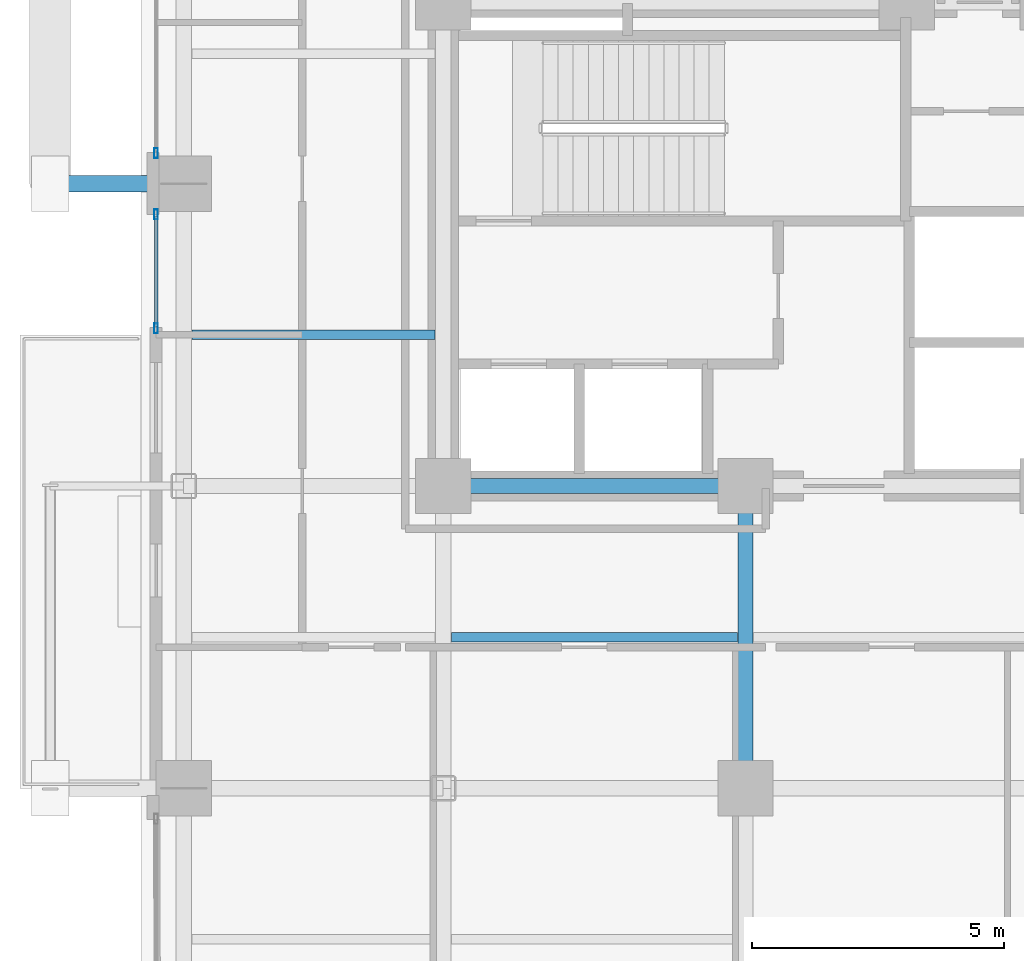
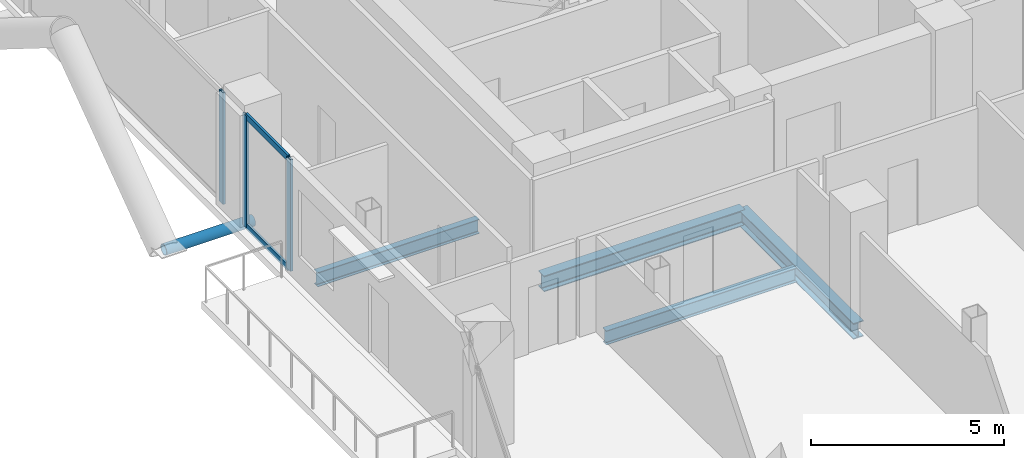
# One storey, part 6 of 26: 6 members, 4 beams, 2 elements without a shape of their own.
"""IFC4 building model written with IfcOpenShell, lengths in metres."""

from ifc_helpers import new_model, si_unit, direction, frame, origin, origin_2d, place, context, subcontext, project, spatial, hollow_rectangle, hollow_circle, i_section, extrude, material, layer, layer_set, material_profile, profile_set, type_object, element, aggregate, save


model = new_model("IFC4")

# Units and contexts
model_context = context("Model", 3, precision=1e-05, world=origin(), true_north=direction((0.0, 1.0)))
body_context = subcontext(model_context, "Body", "Model", "MODEL_VIEW")
ifc_project = project(units=[si_unit("LENGTHUNIT", "METRE"), si_unit("AREAUNIT", "SQUARE_METRE"), si_unit("VOLUMEUNIT", "CUBIC_METRE"), si_unit("PLANEANGLEUNIT", "RADIAN"), si_unit("MASSUNIT", "GRAM", prefix="KILO"), si_unit("THERMODYNAMICTEMPERATUREUNIT", "KELVIN"), si_unit("POWERUNIT", "WATT")], contexts=[model_context])

# Site, building, storey
site_placement = place(None, origin())
site = spatial("IfcSite", under=ifc_project, at=site_placement, CompositionType="ELEMENT")
building_placement = place(site_placement, origin())
building = spatial("IfcBuilding", under=site, at=building_placement, Name="Svarakhadi Broadcast Tower", CompositionType="ELEMENT")
storey_placement = place(building_placement, frame((0.0, 0.0, 99.60009765625)))
storey = spatial("IfcBuildingStorey", under=building, at=storey_placement, Name="L23", CompositionType="ELEMENT", Elevation=99.60009765625)

# Beams
ifc_material_1 = material(Name="Steel S355J2 (IS 2062 E350C)", Category="steel")
ifc_material_profile_1 = material_profile(ifc_material_1, i_section(OverallWidth=0.18994140625, OverallDepth=0.449951171875, WebThickness=0.009521484375, FlangeThickness=0.0146484375, FilletRadius=0.02099609375, at=origin_2d()), Name="NPB 450x190x78")
ifc_profile_set_1 = profile_set([ifc_material_profile_1], Name="Steel S355J2 (IS 2062 E350C)")
beam_type_1 = type_object("IfcBeamType", Name="Beam_NPB450", PredefinedType="BEAM", material=ifc_profile_set_1)
beam_1_placement = place(storey_placement, frame((1.010009765625, 21.0, -0.4501953125), z_axis=(1.0, 0.0, 0.0), x_axis=(0.0, 1.0, 0.0)))
element("IfcBeam", 1, at=beam_1_placement, inside=storey, type_object=beam_type_1, Name="L23 Secondary Composite Beam SB003", PredefinedType="BEAM", context=body_context, shape_type="SweptSolid", body=[
    extrude(i_section(OverallWidth=0.18994140625, OverallDepth=0.449951171875, WebThickness=0.009521484375, FlangeThickness=0.0146484375, FilletRadius=0.02099609375, at=origin_2d()), origin(), (0.0, 0.0, 1.0), 4.830078125),
])
beam_2_placement = place(storey_placement, frame((6.159912109375, 15.0, -0.4501953125), z_axis=(1.0, 0.0, 0.0), x_axis=(0.0, 1.0, 0.0)))
element("IfcBeam", 2, at=beam_2_placement, inside=storey, type_object=beam_type_1, Name="L23 Secondary Composite Beam SB009", PredefinedType="BEAM", context=body_context, shape_type="SweptSolid", body=[
    extrude(i_section(OverallWidth=0.18994140625, OverallDepth=0.449951171875, WebThickness=0.009521484375, FlangeThickness=0.0146484375, FilletRadius=0.02099609375, at=origin_2d()), origin(), (0.0, 0.0, 1.0), 5.68017578125),
])

# Curtain wall, members
ifc_material_2 = material(Name="Anodised Bronze Aluminium AA 6063-T6", Category="aluminium")
ifc_layer = layer(ifc_material_2, 0.199951171875)
ifc_layer_set = layer_set([ifc_layer], Name="Anodised Bronze Aluminium AA 6063-T6")
curtain_wall_type = type_object("IfcCurtainWallType", Name="CW_Sys_03", PredefinedType="NOTDEFINED", material=ifc_layer_set)
curtain_wall_1_placement = place(storey_placement, origin())
curtain_wall_1 = element("IfcCurtainWall", 3, at=curtain_wall_1_placement, inside=storey, type_object=curtain_wall_type, Name="L23 West Curtain Wall 03 Bay 1", PredefinedType="NOTDEFINED")
ifc_material_profile_2 = material_profile(ifc_material_2, hollow_rectangle(XDim=0.074951171875, YDim=0.199951171875, WallThickness=0.005615234375, at=origin_2d()), Name="ALU MULLION 200x75x6")
ifc_profile_set_2 = profile_set([ifc_material_profile_2], Name="Anodised Bronze Aluminium AA 6063-T6")
member_type_1 = type_object("IfcMemberType", Name="CW_Sys_03_Mul", PredefinedType="MULLION", material=ifc_profile_set_2)
member_1_placement = place(storey_placement, frame((0.300048828125, 21.12744140625, 0.0), z_axis=(0.0, 0.0, 1.0), x_axis=(-1.0, 0.0, 0.0)))
member_1 = element("IfcMember", 4, at=member_1_placement, type_object=member_type_1, Name="CW-03 mullion 1", PredefinedType="MULLION", context=body_context, shape_type="SweptSolid", body=[
    extrude(hollow_rectangle(XDim=0.074951171875, YDim=0.199951171875, WallThickness=0.005615234375, at=origin_2d()), origin(), (0.0, 0.0, 1.0), 3.52490234375),
])
member_2_placement = place(storey_placement, frame((0.300048828125, 23.392578125, 0.0), z_axis=(0.0, 0.0, 1.0), x_axis=(-1.0, 0.0, 0.0)))
member_2 = element("IfcMember", 5, at=member_2_placement, type_object=member_type_1, Name="CW-03 mullion 2", PredefinedType="MULLION", context=body_context, shape_type="SweptSolid", body=[
    extrude(hollow_rectangle(XDim=0.074951171875, YDim=0.199951171875, WallThickness=0.005615234375, at=origin_2d()), origin(), (0.0, 0.0, 1.0), 3.52490234375),
])

# Curtain wall, member
curtain_wall_2_placement = place(storey_placement, origin())
curtain_wall_2 = element("IfcCurtainWall", 6, at=curtain_wall_2_placement, inside=storey, type_object=curtain_wall_type, Name="L23 West Curtain Wall 03 Bay 2", PredefinedType="NOTDEFINED")
member_3_placement = place(storey_placement, frame((0.300048828125, 24.607421875, 0.0), z_axis=(0.0, 0.0, 1.0), x_axis=(-1.0, 0.0, 0.0)))
member_3 = element("IfcMember", 7, at=member_3_placement, type_object=member_type_1, Name="CW-03 mullion 1", PredefinedType="MULLION", context=body_context, shape_type="SweptSolid", body=[
    extrude(hollow_rectangle(XDim=0.074951171875, YDim=0.199951171875, WallThickness=0.005615234375, at=origin_2d()), origin(), (0.0, 0.0, 1.0), 3.52490234375),
])
aggregate(curtain_wall_2, [member_3])

# Member
ifc_material_profile_3 = material_profile(ifc_material_2, hollow_rectangle(XDim=0.070068359375, YDim=0.18505859375, WallThickness=0.0048828125, at=origin_2d()), Name="ALU TRANSOM 185x70x5")
ifc_profile_set_3 = profile_set([ifc_material_profile_3], Name="Anodised Bronze Aluminium AA 6063-T6")
member_type_2 = type_object("IfcMemberType", Name="CW_Sys_03_Trn", PredefinedType="USERDEFINED", material=ifc_profile_set_3)
member_4_placement = place(storey_placement, frame((0.300048828125, 21.1650390625, 0.034912109375), z_axis=(0.0, 1.0, 0.0), x_axis=(-1.0, 0.0, 0.0)))
member_4 = element("IfcMember", 8, at=member_4_placement, type_object=member_type_2, Name="CW-03 transom 1.1", ObjectType="TRANSOM", PredefinedType="USERDEFINED", context=body_context, shape_type="SweptSolid", body=[
    extrude(hollow_rectangle(XDim=0.070068359375, YDim=0.18505859375, WallThickness=0.0048828125, at=origin_2d()), origin(), (0.0, 0.0, 1.0), 2.18994140625),
])

member_5_placement = place(storey_placement, frame((0.300048828125, 21.1650390625, 3.489990234375), z_axis=(0.0, 1.0, 0.0), x_axis=(-1.0, 0.0, 0.0)))
member_5 = element("IfcMember", 9, at=member_5_placement, type_object=member_type_2, Name="CW-03 transom 1.2", ObjectType="TRANSOM", PredefinedType="USERDEFINED", context=body_context, shape_type="SweptSolid", body=[
    extrude(hollow_rectangle(XDim=0.070068359375, YDim=0.18505859375, WallThickness=0.0048828125, at=origin_2d()), origin(), (0.0, 0.0, 1.0), 2.18994140625),
])

aggregate(curtain_wall_1, [member_1, member_2, member_4, member_5])

ifc_material_3 = material(Name="Steel S460ML (IS 2062 E450BR)", Category="steel")
ifc_material_profile_4 = material_profile(ifc_material_3, hollow_circle(Radius=0.161865234375, WallThickness=0.01611328125, at=origin_2d()), Name="CHS 323.9x16")
ifc_profile_set_4 = profile_set([ifc_material_profile_4], Name="Steel S460ML (IS 2062 E450BR)")
member_type_3 = type_object("IfcMemberType", Name="Exo_Radial_Strut_Z2", PredefinedType="STRUT", material=ifc_profile_set_4)
member_6_placement = place(storey_placement, frame((-1.800048828125, 24.0, -0.386962890625), z_axis=(1.0, 0.0, 0.0), x_axis=(0.0, 1.0, 0.0)))
element("IfcMember", 10, at=member_6_placement, inside=storey, type_object=member_type_3, Name="L23 Exoskeleton Radial Tie Strut W05", PredefinedType="STRUT", context=body_context, shape_type="SweptSolid", body=[
    extrude(hollow_circle(Radius=0.161865234375, WallThickness=0.01611328125, at=origin_2d()), origin(), (0.0, 0.0, 1.0), 2.650146484375),
])

# Beams
ifc_material_profile_5 = material_profile(ifc_material_1, i_section(OverallWidth=0.300048828125, OverallDepth=0.5, WebThickness=0.014404296875, FlangeThickness=0.028076171875, FilletRadius=0.027099609375, at=origin_2d()), Name="WPB 500x300x187")
ifc_profile_set_5 = profile_set([ifc_material_profile_5], Name="Steel S355J2 (IS 2062 E350C)")
beam_type_2 = type_object("IfcBeamType", Name="Girder_WPB500", PredefinedType="USERDEFINED", material=ifc_profile_set_5)
for number, where, z_axis, x_axis, name in (
    (11, (6.0, 18.0, -0.47509765625), (1.0, 0.0, 0.0), (0.0, 1.0, 0.0), "L23 Primary E-W Girder G025"),
    (12, (12.0, 12.0, -0.47509765625), (0.0, 1.0, 0.0), (-1.0, 0.0, 0.0), "L23 Primary N-S Girder G056"),
):
    element("IfcBeam", number, at=place(storey_placement, frame(where, z_axis=z_axis, x_axis=x_axis)), inside=storey, type_object=beam_type_2, Name=name, ObjectType="GIRDER", PredefinedType="USERDEFINED", context=body_context, shape_type="SweptSolid", body=[
        extrude(i_section(OverallWidth=0.300048828125, OverallDepth=0.5, WebThickness=0.014404296875, FlangeThickness=0.028076171875, FilletRadius=0.027099609375, at=origin_2d()), origin(), (0.0, 0.0, 1.0), 6.0),
    ])

save(model, "model.ifc")
